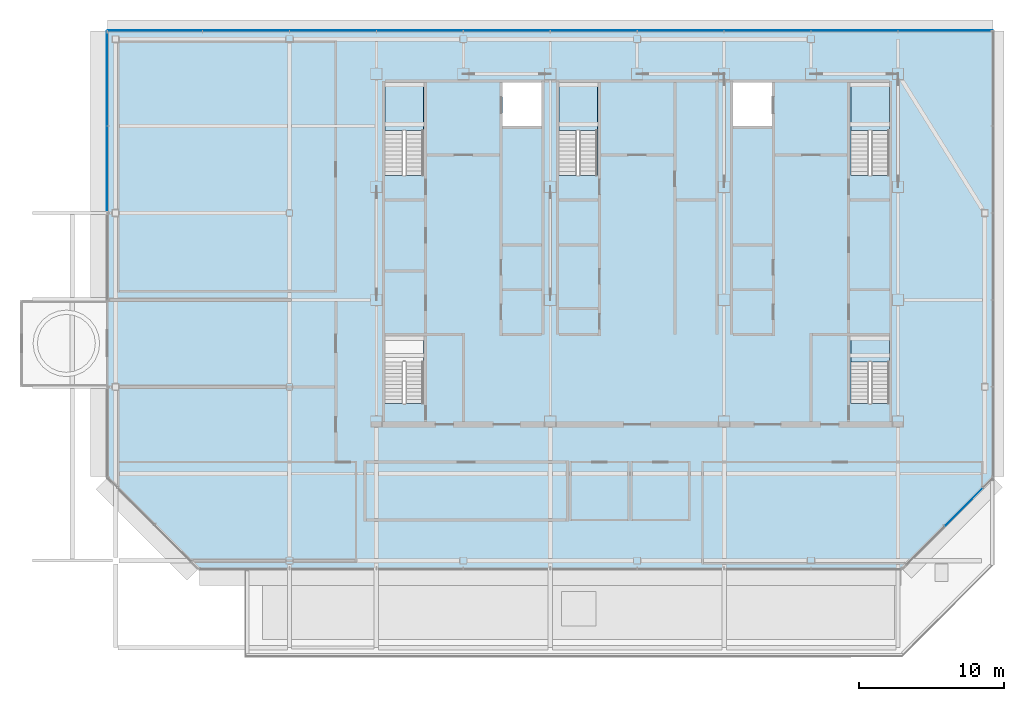
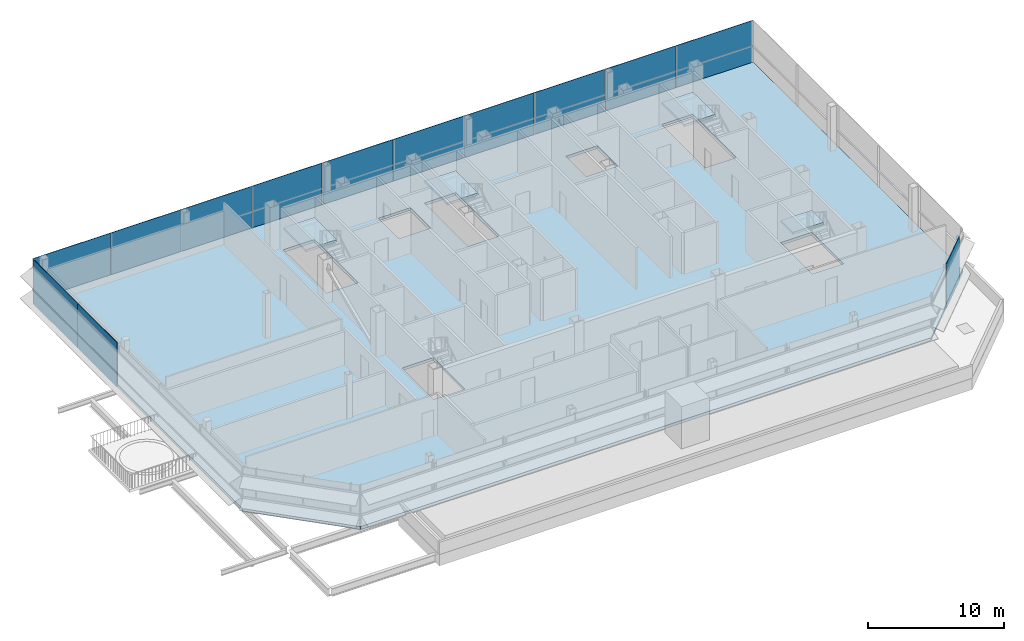
# One storey, part 18 of 26: 13 plates, 5 slabs, 7 elements without a shape of their own.
"""IFC4 building model written with IfcOpenShell, lengths in metres."""

from ifc_helpers import new_model, si_unit, direction, frame, origin, origin_2d, place, context, subcontext, project, spatial, polyline, rectangle, outline, extrude, material, layer, layer_set, type_object, element, aggregate, save


model = new_model("IFC4")

# Units and contexts
model_context = context("Model", 3, precision=1e-05, world=origin(), true_north=direction((0.0, 1.0)))
body_context = subcontext(model_context, "Body", "Model", "MODEL_VIEW")
ifc_project = project(units=[si_unit("LENGTHUNIT", "METRE"), si_unit("AREAUNIT", "SQUARE_METRE"), si_unit("VOLUMEUNIT", "CUBIC_METRE"), si_unit("PLANEANGLEUNIT", "RADIAN"), si_unit("MASSUNIT", "GRAM", prefix="KILO")], contexts=[model_context])

# Site, building, storey
site_placement = place(None, origin())
site = spatial("IfcSite", under=ifc_project, at=site_placement, CompositionType="ELEMENT")
building_placement = place(site_placement, origin())
building = spatial("IfcBuilding", under=site, at=building_placement, Name="Sorahane Residences", CompositionType="ELEMENT")
storey_placement = place(building_placement, frame((0.0, 0.0, 337.800048828125)))
storey = spatial("IfcBuildingStorey", under=building, at=storey_placement, Name="L80", CompositionType="ELEMENT", Elevation=337.800048828125)

# Slab
ifc_material_1 = material(Name="Concrete C35", Category="concrete")
ifc_layer_1 = layer(ifc_material_1, 0.25)
ifc_layer_set_1 = layer_set([ifc_layer_1], Name="Composite floor slab 250 mm Concrete C35")
slab_type_1 = type_object("IfcSlabType", Name="Composite floor slab 250 mm Concrete C35", PredefinedType="FLOOR", material=ifc_layer_set_1)
slab_1_placement = place(storey_placement, frame((0.0, 0.0, -0.25)))
element("IfcSlab", 1, at=slab_1_placement, inside=storey, type_object=slab_type_1, Name="Slab L80", PredefinedType="FLOOR", context=body_context, shape_type="SweptSolid", body=[
    extrude(outline(polyline([(-6.24853515625, 11.39990234375), (-12.60009765625, 17.75146484375), (-12.60009765625, 48.60009765625), (48.60009765625, 48.60009765625), (48.60009765625, 17.75146484375), (42.24853515625, 11.39990234375), (-6.24853515625, 11.39990234375)]), holes=[polyline([(30.60009765625, 42.0), (33.300048828125, 42.0), (33.300048828125, 45.0), (30.60009765625, 45.0), (30.60009765625, 42.0)]), polyline([(14.699951171875, 42.0), (17.39990234375, 42.0), (17.39990234375, 45.0), (14.699951171875, 45.0), (14.699951171875, 42.0)]), polyline([(9.25, 38.60009765625), (9.25, 45.0), (6.60009765625, 45.0), (6.60009765625, 38.60009765625), (9.25, 38.60009765625)]), polyline([(41.39990234375, 38.60009765625), (41.39990234375, 45.0), (38.75, 45.0), (38.75, 38.60009765625), (41.39990234375, 38.60009765625)]), polyline([(21.25, 38.60009765625), (21.25, 45.0), (18.60009765625, 45.0), (18.60009765625, 38.60009765625), (21.25, 38.60009765625)]), polyline([(9.25, 22.85009765625), (9.25, 27.5), (6.60009765625, 27.5), (6.60009765625, 22.85009765625), (9.25, 22.85009765625)]), polyline([(41.39990234375, 22.85009765625), (41.39990234375, 27.5), (38.75, 27.5), (38.75, 22.85009765625), (41.39990234375, 22.85009765625)])]), origin(), (0.0, 0.0, 1.0), 0.25),
])

# Curtain wall, plate
ifc_material_2 = material(Name="Dark low-e glass and black anodised aluminium", Category="aluminium")
curtain_wall_type = type_object("IfcCurtainWallType", Name="Curtain wall CW-6 Crown unitised wall", PredefinedType="NOTDEFINED", material=ifc_material_2)
curtain_wall_1_placement = place(storey_placement, origin())
curtain_wall_1 = element("IfcCurtainWall", 2, at=curtain_wall_1_placement, inside=storey, type_object=curtain_wall_type, Name="CW-6 curtain wall L80 SE1", PredefinedType="NOTDEFINED")
ifc_material_3 = material(Name="Dark low-e glass with black ceramic frit", Category="glass")
ifc_layer_2 = layer(ifc_material_3, 0.0400390625)
ifc_layer_set_2 = layer_set([ifc_layer_2], Name="Curtain wall glass panel dark low-e crown with black frit spandrel band")
plate_type = type_object("IfcPlateType", Name="Curtain wall glass panel dark low-e crown with black frit spandrel band", PredefinedType="CURTAIN_PANEL", material=ifc_layer_set_2)
plate_1_placement = place(storey_placement, frame((46.547607421875, 15.698974609375, -0.25), z_axis=(0.0, 0.0, 1.0), x_axis=(0.707106781187, 0.707106781187, 0.0)))
plate_1 = element("IfcPlate", 3, at=plate_1_placement, type_object=plate_type, Name="CW-6 glass panel L80 SE1.3", PredefinedType="CURTAIN_PANEL", context=body_context, shape_type="SweptSolid", body=[
    extrude(rectangle(XDim=3.692626953125, YDim=0.0400390625, at=origin_2d()), origin(), (0.0, 0.0, 1.0), 4.0),
])
aggregate(curtain_wall_1, [plate_1])

# Curtain wall, plates
curtain_wall_2_placement = place(storey_placement, origin())
curtain_wall_2 = element("IfcCurtainWall", 4, at=curtain_wall_2_placement, inside=storey, type_object=curtain_wall_type, Name="CW-6 curtain wall L80 N1", PredefinedType="NOTDEFINED")
plate_2_placement = place(storey_placement, frame((45.28759765625, 48.60009765625, -0.25), z_axis=(0.0, 0.0, 1.0), x_axis=(-1.0, 0.0, 0.0)))
plate_2 = element("IfcPlate", 5, at=plate_2_placement, type_object=plate_type, Name="CW-6 glass panel L80 N1.1", PredefinedType="CURTAIN_PANEL", context=body_context, shape_type="SweptSolid", body=[
    extrude(rectangle(XDim=6.52490234375, YDim=0.0400390625, at=origin_2d()), origin(), (0.0, 0.0, 1.0), 4.0),
])
plate_3_placement = place(storey_placement, frame((39.0, 48.60009765625, -0.25), z_axis=(0.0, 0.0, 1.0), x_axis=(-1.0, 0.0, 0.0)))
plate_3 = element("IfcPlate", 6, at=plate_3_placement, type_object=plate_type, Name="CW-6 glass panel L80 N1.2", PredefinedType="CURTAIN_PANEL", context=body_context, shape_type="SweptSolid", body=[
    extrude(rectangle(XDim=5.949951171875, YDim=0.0400390625, at=origin_2d()), origin(), (0.0, 0.0, 1.0), 4.0),
])
plate_4_placement = place(storey_placement, frame((33.0, 48.60009765625, -0.25), z_axis=(0.0, 0.0, 1.0), x_axis=(-1.0, 0.0, 0.0)))
plate_4 = element("IfcPlate", 7, at=plate_4_placement, type_object=plate_type, Name="CW-6 glass panel L80 N1.3", PredefinedType="CURTAIN_PANEL", context=body_context, shape_type="SweptSolid", body=[
    extrude(rectangle(XDim=5.949951171875, YDim=0.0400390625, at=origin_2d()), origin(), (0.0, 0.0, 1.0), 4.0),
])
plate_5_placement = place(storey_placement, frame((27.0, 48.60009765625, -0.25), z_axis=(0.0, 0.0, 1.0), x_axis=(-1.0, 0.0, 0.0)))
plate_5 = element("IfcPlate", 8, at=plate_5_placement, type_object=plate_type, Name="CW-6 glass panel L80 N1.4", PredefinedType="CURTAIN_PANEL", context=body_context, shape_type="SweptSolid", body=[
    extrude(rectangle(XDim=5.949951171875, YDim=0.0400390625, at=origin_2d()), origin(), (0.0, 0.0, 1.0), 4.0),
])
plate_6_placement = place(storey_placement, frame((21.0, 48.60009765625, -0.25), z_axis=(0.0, 0.0, 1.0), x_axis=(-1.0, 0.0, 0.0)))
plate_6 = element("IfcPlate", 9, at=plate_6_placement, type_object=plate_type, Name="CW-6 glass panel L80 N1.5", PredefinedType="CURTAIN_PANEL", context=body_context, shape_type="SweptSolid", body=[
    extrude(rectangle(XDim=5.949951171875, YDim=0.0400390625, at=origin_2d()), origin(), (0.0, 0.0, 1.0), 4.0),
])
plate_7_placement = place(storey_placement, frame((15.0, 48.60009765625, -0.25), z_axis=(0.0, 0.0, 1.0), x_axis=(-1.0, 0.0, 0.0)))
plate_7 = element("IfcPlate", 10, at=plate_7_placement, type_object=plate_type, Name="CW-6 glass panel L80 N1.6", PredefinedType="CURTAIN_PANEL", context=body_context, shape_type="SweptSolid", body=[
    extrude(rectangle(XDim=5.949951171875, YDim=0.0400390625, at=origin_2d()), origin(), (0.0, 0.0, 1.0), 4.0),
])
plate_8_placement = place(storey_placement, frame((9.0, 48.60009765625, -0.25), z_axis=(0.0, 0.0, 1.0), x_axis=(-1.0, 0.0, 0.0)))
plate_8 = element("IfcPlate", 11, at=plate_8_placement, type_object=plate_type, Name="CW-6 glass panel L80 N1.7", PredefinedType="CURTAIN_PANEL", context=body_context, shape_type="SweptSolid", body=[
    extrude(rectangle(XDim=5.949951171875, YDim=0.0400390625, at=origin_2d()), origin(), (0.0, 0.0, 1.0), 4.0),
])
plate_9_placement = place(storey_placement, frame((3.0, 48.60009765625, -0.25), z_axis=(0.0, 0.0, 1.0), x_axis=(-1.0, 0.0, 0.0)))
plate_9 = element("IfcPlate", 12, at=plate_9_placement, type_object=plate_type, Name="CW-6 glass panel L80 N1.8", PredefinedType="CURTAIN_PANEL", context=body_context, shape_type="SweptSolid", body=[
    extrude(rectangle(XDim=5.949951171875, YDim=0.0400390625, at=origin_2d()), origin(), (0.0, 0.0, 1.0), 4.0),
])
plate_10_placement = place(storey_placement, frame((-3.0, 48.60009765625, -0.25), z_axis=(0.0, 0.0, 1.0), x_axis=(-1.0, 0.0, 0.0)))
plate_10 = element("IfcPlate", 13, at=plate_10_placement, type_object=plate_type, Name="CW-6 glass panel L80 N1.9", PredefinedType="CURTAIN_PANEL", context=body_context, shape_type="SweptSolid", body=[
    extrude(rectangle(XDim=5.949951171875, YDim=0.0400390625, at=origin_2d()), origin(), (0.0, 0.0, 1.0), 4.0),
])
plate_11_placement = place(storey_placement, frame((-9.28759765625, 48.60009765625, -0.25), z_axis=(0.0, 0.0, 1.0), x_axis=(-1.0, 0.0, 0.0)))
plate_11 = element("IfcPlate", 14, at=plate_11_placement, type_object=plate_type, Name="CW-6 glass panel L80 N1.10", PredefinedType="CURTAIN_PANEL", context=body_context, shape_type="SweptSolid", body=[
    extrude(rectangle(XDim=6.52490234375, YDim=0.0400390625, at=origin_2d()), origin(), (0.0, 0.0, 1.0), 4.0),
])
aggregate(curtain_wall_2, [plate_2, plate_3, plate_4, plate_5, plate_6, plate_7, plate_8, plate_9, plate_10, plate_11])

curtain_wall_3_placement = place(storey_placement, origin())
curtain_wall_3 = element("IfcCurtainWall", 15, at=curtain_wall_3_placement, inside=storey, type_object=curtain_wall_type, Name="CW-6 curtain wall L80 W1", PredefinedType="NOTDEFINED")
plate_12_placement = place(storey_placement, frame((-12.60009765625, 45.28759765625, -0.25), z_axis=(0.0, 0.0, 1.0), x_axis=(0.0, -1.0, 0.0)))
plate_12 = element("IfcPlate", 16, at=plate_12_placement, type_object=plate_type, Name="CW-6 glass panel L80 W1.1", PredefinedType="CURTAIN_PANEL", context=body_context, shape_type="SweptSolid", body=[
    extrude(rectangle(XDim=6.52490234375, YDim=0.0400390625, at=origin_2d()), origin(), (0.0, 0.0, 1.0), 4.0),
])
plate_13_placement = place(storey_placement, frame((-12.60009765625, 39.08740234375, -0.25), z_axis=(0.0, 0.0, 1.0), x_axis=(0.0, -1.0, 0.0)))
plate_13 = element("IfcPlate", 17, at=plate_13_placement, type_object=plate_type, Name="CW-6 glass panel L80 W1.2", PredefinedType="CURTAIN_PANEL", context=body_context, shape_type="SweptSolid", body=[
    extrude(rectangle(XDim=5.77490234375, YDim=0.0400390625, at=origin_2d()), origin(), (0.0, 0.0, 1.0), 4.0),
])
aggregate(curtain_wall_3, [plate_12, plate_13])

# Stair, slab
ifc_material_4 = material(Name="Concrete C40", Category="concrete")
stair_type = type_object("IfcStairType", Name="Dog-leg stair 1250 Concrete C40", PredefinedType="HALF_TURN_STAIR", material=ifc_material_4)
stair_1_placement = place(storey_placement, origin())
stair_1 = element("IfcStair", 18, at=stair_1_placement, inside=storey, type_object=stair_type, Name="L80 Stair S1", PredefinedType="HALF_TURN_STAIR")
ifc_material_5 = material(Name="Concrete C40", Category="concrete")
ifc_layer_3 = layer(ifc_material_5, 0.199951171875)
ifc_layer_set_3 = layer_set([ifc_layer_3], Name="Stair landing 200 Concrete C40")
slab_type_2 = type_object("IfcSlabType", Name="Stair landing 200 Concrete C40", PredefinedType="LANDING", material=ifc_layer_set_3)
slab_2_placement = place(storey_placement, frame((0.0, 0.0, 1.800048828125)))
slab_2 = element("IfcSlab", 19, at=slab_2_placement, type_object=slab_type_2, Name="S1 landing 1", PredefinedType="LANDING", context=body_context, shape_type="SweptSolid", body=[
    extrude(outline(polyline([(9.25, 41.679931640625), (9.25, 45.0), (6.60009765625, 45.0), (6.60009765625, 41.679931640625), (9.25, 41.679931640625)])), origin(), (0.0, 0.0, 1.0), 0.199951171875),
])
aggregate(stair_1, [slab_2])

stair_2_placement = place(storey_placement, origin())
stair_2 = element("IfcStair", 20, at=stair_2_placement, inside=storey, type_object=stair_type, Name="L80 Stair S2", PredefinedType="HALF_TURN_STAIR")
slab_3_placement = place(storey_placement, frame((0.0, 0.0, 1.800048828125)))
slab_3 = element("IfcSlab", 21, at=slab_3_placement, type_object=slab_type_2, Name="S2 landing 1", PredefinedType="LANDING", context=body_context, shape_type="SweptSolid", body=[
    extrude(outline(polyline([(41.39990234375, 41.679931640625), (41.39990234375, 45.0), (38.75, 45.0), (38.75, 41.679931640625), (41.39990234375, 41.679931640625)])), origin(), (0.0, 0.0, 1.0), 0.199951171875),
])
aggregate(stair_2, [slab_3])

stair_3_placement = place(storey_placement, origin())
stair_3 = element("IfcStair", 22, at=stair_3_placement, inside=storey, type_object=stair_type, Name="L80 Stair S3", PredefinedType="HALF_TURN_STAIR")
slab_4_placement = place(storey_placement, frame((0.0, 0.0, 1.800048828125)))
slab_4 = element("IfcSlab", 23, at=slab_4_placement, type_object=slab_type_2, Name="S3 landing 1", PredefinedType="LANDING", context=body_context, shape_type="SweptSolid", body=[
    extrude(outline(polyline([(21.25, 41.679931640625), (21.25, 45.0), (18.60009765625, 45.0), (18.60009765625, 41.679931640625), (21.25, 41.679931640625)])), origin(), (0.0, 0.0, 1.0), 0.199951171875),
])
aggregate(stair_3, [slab_4])

stair_4_placement = place(storey_placement, origin())
stair_4 = element("IfcStair", 24, at=stair_4_placement, inside=storey, type_object=stair_type, Name="L80 Stair S5", PredefinedType="HALF_TURN_STAIR")
slab_5_placement = place(storey_placement, frame((0.0, 0.0, 1.800048828125)))
slab_5 = element("IfcSlab", 25, at=slab_5_placement, type_object=slab_type_2, Name="S5 landing 1", PredefinedType="LANDING", context=body_context, shape_type="SweptSolid", body=[
    extrude(outline(polyline([(41.39990234375, 25.7099609375), (41.39990234375, 27.5), (38.75, 27.5), (38.75, 25.7099609375), (41.39990234375, 25.7099609375)])), origin(), (0.0, 0.0, 1.0), 0.199951171875),
])
aggregate(stair_4, [slab_5])

save(model, "model.ifc")
